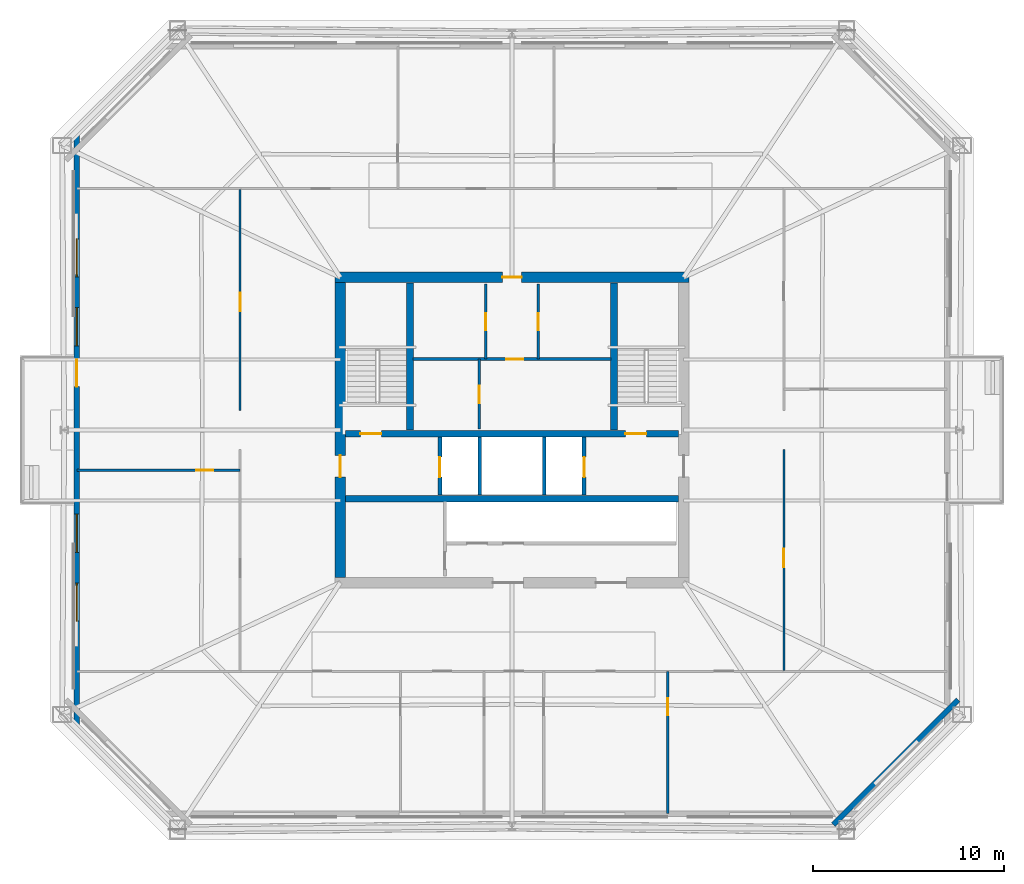
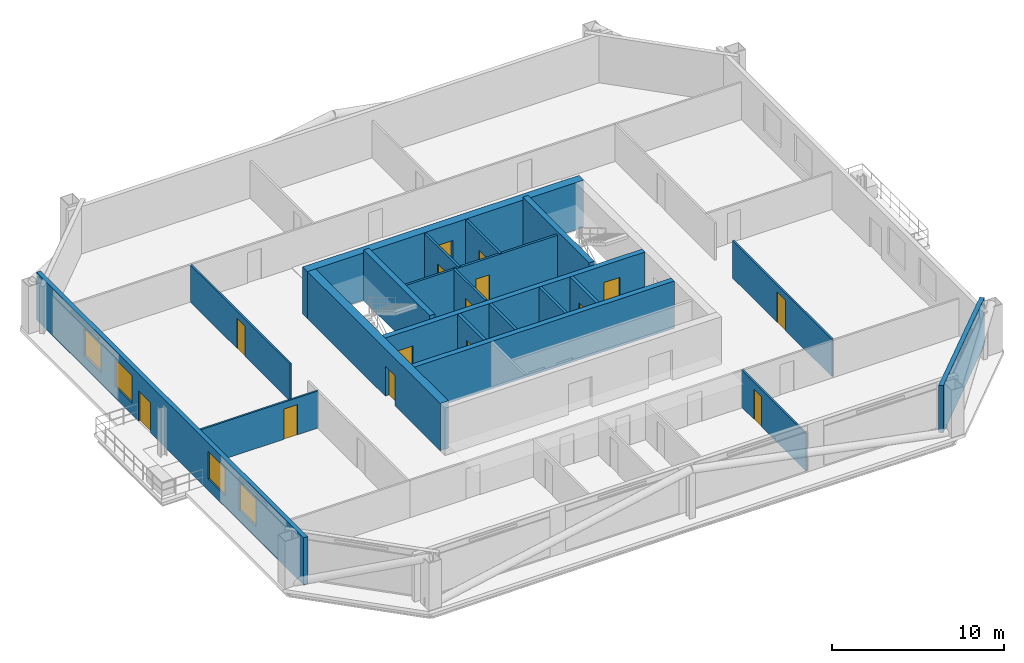
# One storey, part 3 of 8: 20 walls, 15 doors, 4 windows, 19 openings.
"""IFC4 building model written with IfcOpenShell, lengths in metres."""

from ifc_helpers import new_model, si_unit, direction, frame, frame_2d, origin, place, context, subcontext, project, spatial, rectangle, extrude, material, layer, layer_set, type_object, element, fill, save


model = new_model("IFC4")

# Units and contexts
model_context = context("Model", 3, precision=1e-05, world=origin(), true_north=direction((0.0, 1.0)))
body_context = subcontext(model_context, "Body", "Model", "MODEL_VIEW")
ifc_project = project(units=[si_unit("LENGTHUNIT", "METRE"), si_unit("AREAUNIT", "SQUARE_METRE"), si_unit("VOLUMEUNIT", "CUBIC_METRE"), si_unit("PLANEANGLEUNIT", "RADIAN"), si_unit("MASSUNIT", "GRAM", prefix="KILO")], contexts=[model_context])

# Site, building, storey
site_placement = place(None, origin())
site = spatial("IfcSite", under=ifc_project, at=site_placement, CompositionType="ELEMENT")
building_placement = place(site_placement, origin())
building = spatial("IfcBuilding", under=site, at=building_placement, Name="Caelvoria Tower", CompositionType="ELEMENT")
storey_placement = place(building_placement, frame((0.0, 0.0, 138.39990234375)))
storey = spatial("IfcBuildingStorey", under=building, at=storey_placement, Name="L36", CompositionType="ELEMENT", Elevation=138.39990234375)

# Wall, openings, doors
ifc_material_1 = material(Name="Concrete C50/60", Category="concrete")
ifc_layer_1 = layer(ifc_material_1, 0.35009765625, Name="Concrete C50/60")
ifc_layer_set_1 = layer_set([ifc_layer_1], Name="Core Internal Shear Wall 350 - Concrete C50/60")
wall_type_1 = type_object("IfcWallType", Name="Core Internal Shear Wall 350", PredefinedType="SHEAR", material=ifc_layer_set_1)
wall_1_placement = place(storey_placement, frame((37.27490234375, 31.800048828125, 0.0), z_axis=(0.0, 0.0, 1.0), x_axis=(1.0, 0.0, 0.0)))
wall_1 = element("IfcWall", 1, at=wall_1_placement, inside=storey, type_object=wall_type_1, Name="Core Shear Wall L36 M1", PredefinedType="SHEAR", context=body_context, shape_type="SweptSolid", body=[
    extrude(rectangle(XDim=17.4501953125, YDim=0.35009765625, at=frame_2d((8.72509765625, 0.0))), origin(), (0.0, 0.0, 1.0), 3.360107421875),
])
opening_1_placement = place(wall_1_placement, frame((0.77490234375, 0.0, 0.0)))
opening_1 = element("IfcOpeningElement", 2, at=opening_1_placement, cuts=wall_1, Name="Opening ID-01", PredefinedType="OPENING", context=body_context, shape_type="SweptSolid", body=[
    extrude(rectangle(XDim=1.10009765625, YDim=2.14990234375, at=frame_2d((0.550048828125, 1.074951171875))), frame((0.0, 0.18505859375, 0.0), z_axis=(0.0, -1.0, 0.0), x_axis=(1.0, 0.0, 0.0)), (0.0, 0.0, 1.0), 0.3701171875),
])
opening_2_placement = place(wall_1_placement, frame((14.675048828125, 0.0, 0.0)))
opening_2 = element("IfcOpeningElement", 3, at=opening_2_placement, cuts=wall_1, Name="Opening ID-01", PredefinedType="OPENING", context=body_context, shape_type="SweptSolid", body=[
    extrude(rectangle(XDim=1.10009765625, YDim=2.14990234375, at=frame_2d((0.550048828125, 1.074951171875))), frame((0.0, 0.18505859375, 0.0), z_axis=(0.0, -1.0, 0.0), x_axis=(1.0, 0.0, 0.0)), (0.0, 0.0, 1.0), 0.3701171875),
])
ifc_material_2 = material(Name="Painted Hollow Steel Fire Door", Category="steel")
door_type_1 = type_object("IfcDoorType", Name="Fire Door FD90S 1100x2150", OperationType="NOTDEFINED", PredefinedType="DOOR", material=ifc_material_2)
door_1_placement = place(opening_1_placement, origin())
door_1 = element("IfcDoor", 4, at=door_1_placement, inside=storey, type_object=door_type_1, Name="Core Door DR-L36-ST1", OperationType="SINGLE_SWING_LEFT", OverallHeight=2.14990234375, OverallWidth=1.10009765625, PredefinedType="DOOR", context=body_context, shape_type="SweptSolid", body=[
    extrude(rectangle(XDim=1.10009765625, YDim=2.14990234375, at=frame_2d((0.550048828125, 1.074951171875))), frame((0.0, 0.02490234375, 0.0), z_axis=(0.0, -1.0, 0.0), x_axis=(1.0, 0.0, 0.0)), (0.0, 0.0, 1.0), 0.050048828125),
])
fill(opening_1, door_1)
door_2_placement = place(opening_2_placement, origin())
door_2 = element("IfcDoor", 5, at=door_2_placement, inside=storey, type_object=door_type_1, Name="Core Door DR-L36-ST2", OperationType="SINGLE_SWING_RIGHT", OverallHeight=2.14990234375, OverallWidth=1.10009765625, PredefinedType="DOOR", context=body_context, shape_type="SweptSolid", body=[
    extrude(rectangle(XDim=1.10009765625, YDim=2.14990234375, at=frame_2d((0.550048828125, 1.074951171875))), frame((0.0, 0.02490234375, 0.0), z_axis=(0.0, -1.0, 0.0), x_axis=(1.0, 0.0, 0.0)), (0.0, 0.0, 1.0), 0.050048828125),
])
fill(opening_2, door_2)

# Walls
wall_2_placement = place(storey_placement, frame((37.27490234375, 28.39990234375, 0.0), z_axis=(0.0, 0.0, 1.0), x_axis=(1.0, 0.0, 0.0)))
element("IfcWall", 6, at=wall_2_placement, inside=storey, type_object=wall_type_1, Name="Core Shear Wall L36 M2", PredefinedType="SHEAR", context=body_context, shape_type="SweptSolid", body=[
    extrude(rectangle(XDim=17.4501953125, YDim=0.35009765625, at=frame_2d((8.72509765625, 0.0))), origin(), (0.0, 0.0, 1.0), 3.360107421875),
])
for number, where, z_axis, x_axis, name in (
    (7, (40.64990234375, 32.0, 0.0), (0.0, 0.0, 1.0), (0.0, 1.0, 0.0), "Interior Partition IW-L36-ST1E"),
    (8, (51.35009765625, 32.0, 0.0), (0.0, 0.0, 1.0), (0.0, 1.0, 0.0), "Interior Partition IW-L36-ST2W"),
):
    element("IfcWall", number, at=place(storey_placement, frame(where, z_axis=z_axis, x_axis=x_axis)), inside=storey, type_object=wall_type_1, Name=name, PredefinedType="SHEAR", context=body_context, shape_type="SweptSolid", body=[
        extrude(rectangle(XDim=7.699951171875, YDim=0.35009765625, at=frame_2d((3.85009765625, 0.0))), origin(), (0.0, 0.0, 1.0), 3.60009765625),
    ])

# Wall, opening, door
ifc_material_3 = material(Name="Double Gypsum Board on Steel Stud", Category="steel")
ifc_layer_2 = layer(ifc_material_3, 0.14990234375, Name="Double Gypsum Board on Steel Stud")
ifc_layer_set_2 = layer_set([ifc_layer_2], Name="Core Service Acoustic Partition Wall 150 - Double Gypsum Board on Steel Stud")
wall_type_2 = type_object("IfcWallType", Name="Core Service Acoustic Partition Wall 150", PredefinedType="PARTITIONING", material=ifc_layer_set_2)
wall_3_placement = place(storey_placement, frame((44.6201171875, 35.719970703125, 0.0), z_axis=(0.0, 0.0, 1.0), x_axis=(0.0, 1.0, 0.0)))
wall_3 = element("IfcWall", 9, at=wall_3_placement, inside=storey, type_object=wall_type_2, Name="Interior Partition IW-L36-C0L", PredefinedType="PARTITIONING", context=body_context, shape_type="SweptSolid", body=[
    extrude(rectangle(XDim=3.929931640625, YDim=0.14990234375, at=frame_2d((1.96484375, 0.0))), origin(), (0.0, 0.0, 1.0), 3.360107421875),
])
opening_3_placement = place(wall_3_placement, frame((1.5, 0.0, 0.0)))
opening_3 = element("IfcOpeningElement", 10, at=opening_3_placement, cuts=wall_3, Name="Opening ID-06", PredefinedType="OPENING", context=body_context, shape_type="SweptSolid", body=[
    extrude(rectangle(XDim=0.89990234375, YDim=2.14990234375, at=frame_2d((0.449951171875, 1.074951171875))), frame((0.0, 0.0849609375, 0.0), z_axis=(0.0, -1.0, 0.0), x_axis=(1.0, 0.0, 0.0)), (0.0, 0.0, 1.0), 0.169921875),
])
ifc_material_4 = material(Name="Engineered Andean Oak Veneer Door", Category="wood")
door_type_2 = type_object("IfcDoorType", Name="Interior Timber Door 900x2150", OperationType="NOTDEFINED", PredefinedType="DOOR", material=ifc_material_4)
door_3_placement = place(opening_3_placement, origin())
door_3 = element("IfcDoor", 11, at=door_3_placement, inside=storey, type_object=door_type_2, Name="Interior Door DR-L36-C01", OperationType="SINGLE_SWING_LEFT", OverallHeight=2.14990234375, OverallWidth=0.89990234375, PredefinedType="DOOR", context=body_context, shape_type="SweptSolid", body=[
    extrude(rectangle(XDim=0.89990234375, YDim=2.14990234375, at=frame_2d((0.449951171875, 1.074951171875))), frame((0.0, 0.02490234375, 0.0), z_axis=(0.0, -1.0, 0.0), x_axis=(1.0, 0.0, 0.0)), (0.0, 0.0, 1.0), 0.050048828125),
])
fill(opening_3, door_3)

wall_4_placement = place(storey_placement, frame((47.3798828125, 35.719970703125, 0.0), z_axis=(0.0, 0.0, 1.0), x_axis=(0.0, 1.0, 0.0)))
wall_4 = element("IfcWall", 12, at=wall_4_placement, inside=storey, type_object=wall_type_2, Name="Interior Partition IW-L36-C0R", PredefinedType="PARTITIONING", context=body_context, shape_type="SweptSolid", body=[
    extrude(rectangle(XDim=3.929931640625, YDim=0.14990234375, at=frame_2d((1.96484375, 0.0))), origin(), (0.0, 0.0, 1.0), 3.360107421875),
])
opening_4_placement = place(wall_4_placement, frame((1.5, 0.0, 0.0)))
opening_4 = element("IfcOpeningElement", 13, at=opening_4_placement, cuts=wall_4, Name="Opening ID-06", PredefinedType="OPENING", context=body_context, shape_type="SweptSolid", body=[
    extrude(rectangle(XDim=0.89990234375, YDim=2.14990234375, at=frame_2d((0.449951171875, 1.074951171875))), frame((0.0, 0.0849609375, 0.0), z_axis=(0.0, -1.0, 0.0), x_axis=(1.0, 0.0, 0.0)), (0.0, 0.0, 1.0), 0.169921875),
])
door_4_placement = place(opening_4_placement, origin())
door_4 = element("IfcDoor", 14, at=door_4_placement, inside=storey, type_object=door_type_2, Name="Interior Door DR-L36-C02", OperationType="SINGLE_SWING_RIGHT", OverallHeight=2.14990234375, OverallWidth=0.89990234375, PredefinedType="DOOR", context=body_context, shape_type="SweptSolid", body=[
    extrude(rectangle(XDim=0.89990234375, YDim=2.14990234375, at=frame_2d((0.449951171875, 1.074951171875))), frame((0.0, 0.02490234375, 0.0), z_axis=(0.0, -1.0, 0.0), x_axis=(1.0, 0.0, 0.0)), (0.0, 0.0, 1.0), 0.050048828125),
])
fill(opening_4, door_4)

wall_5_placement = place(storey_placement, frame((44.280029296875, 32.050048828125, 0.0), z_axis=(0.0, 0.0, 1.0), x_axis=(0.0, 1.0, 0.0)))
wall_5 = element("IfcWall", 15, at=wall_5_placement, inside=storey, type_object=wall_type_2, Name="Interior Partition IW-L36-C0M", PredefinedType="PARTITIONING", context=body_context, shape_type="SweptSolid", body=[
    extrude(rectangle(XDim=3.669921875, YDim=0.14990234375, at=frame_2d((1.8349609375, 0.0))), origin(), (0.0, 0.0, 1.0), 3.360107421875),
])
opening_5_placement = place(wall_5_placement, frame((1.35009765625, 0.0, 0.0)))
opening_5 = element("IfcOpeningElement", 16, at=opening_5_placement, cuts=wall_5, Name="Opening ID-07", PredefinedType="OPENING", context=body_context, shape_type="SweptSolid", body=[
    extrude(rectangle(XDim=0.919921875, YDim=2.14990234375, at=frame_2d((0.4599609375, 1.074951171875))), frame((0.0, 0.0849609375, 0.0), z_axis=(0.0, -1.0, 0.0), x_axis=(1.0, 0.0, 0.0)), (0.0, 0.0, 1.0), 0.169921875),
])
ifc_material_5 = material(Name="Engineered Andean Oak Accessible Door", Category="wood")
door_type_3 = type_object("IfcDoorType", Name="Accessible WC Door 950x2150", OperationType="NOTDEFINED", PredefinedType="DOOR", material=ifc_material_5)
door_5_placement = place(opening_5_placement, origin())
door_5 = element("IfcDoor", 17, at=door_5_placement, inside=storey, type_object=door_type_3, Name="Interior Door DR-L36-C05", OperationType="SINGLE_SWING_LEFT", OverallHeight=2.14990234375, OverallWidth=0.919921875, PredefinedType="DOOR", context=body_context, shape_type="SweptSolid", body=[
    extrude(rectangle(XDim=0.919921875, YDim=2.14990234375, at=frame_2d((0.4599609375, 1.074951171875))), frame((0.0, 0.02490234375, 0.0), z_axis=(0.0, -1.0, 0.0), x_axis=(1.0, 0.0, 0.0)), (0.0, 0.0, 1.0), 0.050048828125),
])
fill(opening_5, door_5)

wall_6_placement = place(storey_placement, frame((40.800048828125, 35.719970703125, 0.0), z_axis=(0.0, 0.0, 1.0), x_axis=(1.0, 0.0, 0.0)))
wall_6 = element("IfcWall", 18, at=wall_6_placement, inside=storey, type_object=wall_type_2, Name="Interior Partition IW-L36-C0H", PredefinedType="PARTITIONING", context=body_context, shape_type="SweptSolid", body=[
    extrude(rectangle(XDim=10.39990234375, YDim=0.14990234375, at=frame_2d((5.199951171875, 0.0))), origin(), (0.0, 0.0, 1.0), 3.360107421875),
])
opening_6_placement = place(wall_6_placement, frame((4.89990234375, 0.0, 0.0)))
opening_6 = element("IfcOpeningElement", 19, at=opening_6_placement, cuts=wall_6, Name="Opening ID-04", PredefinedType="OPENING", context=body_context, shape_type="SweptSolid", body=[
    extrude(rectangle(XDim=0.89990234375, YDim=2.14990234375, at=frame_2d((0.449951171875, 1.074951171875))), frame((0.0, 0.0849609375, 0.0), z_axis=(0.0, -1.0, 0.0), x_axis=(1.0, 0.0, 0.0)), (0.0, 0.0, 1.0), 0.169921875),
])
ifc_material_6 = material(Name="Acoustic Timber Fire Door", Category="wood")
door_type_4 = type_object("IfcDoorType", Name="Fire Door FD30S 900x2150", OperationType="NOTDEFINED", PredefinedType="DOOR", material=ifc_material_6)
door_6_placement = place(opening_6_placement, origin())
door_6 = element("IfcDoor", 20, at=door_6_placement, inside=storey, type_object=door_type_4, Name="Interior Door DR-L36-C04", OperationType="SINGLE_SWING_RIGHT", OverallHeight=2.14990234375, OverallWidth=0.89990234375, PredefinedType="DOOR", context=body_context, shape_type="SweptSolid", body=[
    extrude(rectangle(XDim=0.89990234375, YDim=2.14990234375, at=frame_2d((0.449951171875, 1.074951171875))), frame((0.0, 0.02490234375, 0.0), z_axis=(0.0, -1.0, 0.0), x_axis=(1.0, 0.0, 0.0)), (0.0, 0.0, 1.0), 0.050048828125),
])
fill(opening_6, door_6)

# Wall
ifc_material_7 = material(Name="Precast Concrete C40/50 with Bronze Cladding", Category="concrete")
ifc_layer_3 = layer(ifc_material_7, 0.280029296875, Name="Precast Concrete C40/50 with Bronze Cladding")
ifc_layer_set_3 = layer_set([ifc_layer_3], Name="Exterior Precast Concrete C40/50 Bronze-Clad Facade Wall 280 - Precast Concrete C40/50 with Bronze Cladding")
wall_type_3 = type_object("IfcWallType", Name="Exterior Precast Concrete C40/50 Bronze-Clad Facade Wall 280", PredefinedType="STANDARD", material=ifc_layer_set_3)
wall_7_placement = place(storey_placement, frame((62.8544921875, 11.30615234375, 0.0), z_axis=(0.0, 0.0, 1.0), x_axis=(0.707106781187, 0.707106781187, 0.0)))
element("IfcWall", 21, at=wall_7_placement, inside=storey, type_object=wall_type_3, Name="Exterior Facade Wall L36-E1", PredefinedType="STANDARD", context=body_context, shape_type="SweptSolid", body=[
    extrude(rectangle(XDim=9.248046875, YDim=0.280029296875, at=frame_2d((4.6240234375, 0.0))), origin(), (0.0, 0.0, 1.0), 3.360107421875),
])

# Wall, openings, windows, door
wall_8_placement = place(storey_placement, frame((23.179931640625, 47.5400390625, 0.0), z_axis=(0.0, 0.0, 1.0), x_axis=(0.0, -1.0, 0.0)))
wall_8 = element("IfcWall", 22, at=wall_8_placement, inside=storey, type_object=wall_type_3, Name="Exterior Facade Wall L36-E6", PredefinedType="STANDARD", context=body_context, shape_type="SweptSolid", body=[
    extrude(rectangle(XDim=31.080078125, YDim=0.280029296875, at=frame_2d((15.5400390625, 0.0))), origin(), (0.0, 0.0, 1.0), 3.360107421875),
])
opening_7_placement = place(wall_8_placement, frame((11.860107421875, 0.0, 0.0)))
opening_7 = element("IfcOpeningElement", 23, at=opening_7_placement, cuts=wall_8, Name="Opening ED-04", PredefinedType="OPENING", context=body_context, shape_type="SweptSolid", body=[
    extrude(rectangle(XDim=1.39990234375, YDim=2.14990234375, at=frame_2d((0.699951171875, 1.074951171875))), frame((0.0, 0.14990234375, 0.0), z_axis=(0.0, -1.0, 0.0), x_axis=(1.0, 0.0, 0.0)), (0.0, 0.0, 1.0), 0.300048828125),
])
opening_8_placement = place(wall_8_placement, frame((5.514892578125, 0.0, 0.800048828125)))
opening_8 = element("IfcOpeningElement", 24, at=opening_8_placement, cuts=wall_8, Name="Opening WN-01", PredefinedType="OPENING", context=body_context, shape_type="SweptSolid", body=[
    extrude(rectangle(XDim=2.0, YDim=1.949951171875, at=frame_2d((1.0, 0.97509765625))), frame((0.0, 0.14990234375, 0.0), z_axis=(0.0, -1.0, 0.0), x_axis=(1.0, 0.0, 0.0)), (0.0, 0.0, 1.0), 0.300048828125),
])
opening_9_placement = place(wall_8_placement, frame((9.125, 0.0, 0.800048828125)))
opening_9 = element("IfcOpeningElement", 25, at=opening_9_placement, cuts=wall_8, Name="Opening WN-01", PredefinedType="OPENING", context=body_context, shape_type="SweptSolid", body=[
    extrude(rectangle(XDim=2.0, YDim=1.949951171875, at=frame_2d((1.0, 0.97509765625))), frame((0.0, 0.14990234375, 0.0), z_axis=(0.0, -1.0, 0.0), x_axis=(1.0, 0.0, 0.0)), (0.0, 0.0, 1.0), 0.300048828125),
])
opening_10_placement = place(wall_8_placement, frame((19.955078125, 0.0, 0.800048828125)))
opening_10 = element("IfcOpeningElement", 26, at=opening_10_placement, cuts=wall_8, Name="Opening WN-01", PredefinedType="OPENING", context=body_context, shape_type="SweptSolid", body=[
    extrude(rectangle(XDim=2.0, YDim=1.949951171875, at=frame_2d((1.0, 0.97509765625))), frame((0.0, 0.14990234375, 0.0), z_axis=(0.0, -1.0, 0.0), x_axis=(1.0, 0.0, 0.0)), (0.0, 0.0, 1.0), 0.300048828125),
])
opening_11_placement = place(wall_8_placement, frame((23.56494140625, 0.0, 0.800048828125)))
opening_11 = element("IfcOpeningElement", 27, at=opening_11_placement, cuts=wall_8, Name="Opening WN-01", PredefinedType="OPENING", context=body_context, shape_type="SweptSolid", body=[
    extrude(rectangle(XDim=2.0, YDim=1.949951171875, at=frame_2d((1.0, 0.97509765625))), frame((0.0, 0.14990234375, 0.0), z_axis=(0.0, -1.0, 0.0), x_axis=(1.0, 0.0, 0.0)), (0.0, 0.0, 1.0), 0.300048828125),
])
ifc_material_8 = material(Name="Low-E Tinted Glass in Bronze Aluminium Frame", Category="aluminium")
window_type = type_object("IfcWindowType", Name="Tower Office Vision Window 2000x1950", PartitioningType="SINGLE_PANEL", PredefinedType="WINDOW", material=ifc_material_8)
window_1_placement = place(opening_8_placement, origin())
window_1 = element("IfcWindow", 28, at=window_1_placement, inside=storey, type_object=window_type, Name="Facade Window L36-E6-01", OverallHeight=1.949951171875, OverallWidth=2.0, PartitioningType="SINGLE_PANEL", PredefinedType="WINDOW", context=body_context, shape_type="SweptSolid", body=[
    extrude(rectangle(XDim=2.0, YDim=1.949951171875, at=frame_2d((1.0, 0.97509765625))), frame((0.0, 0.030029296875, 0.0), z_axis=(0.0, -1.0, 0.0), x_axis=(1.0, 0.0, 0.0)), (0.0, 0.0, 1.0), 0.06005859375),
])
fill(opening_8, window_1)
window_2_placement = place(opening_9_placement, origin())
window_2 = element("IfcWindow", 29, at=window_2_placement, inside=storey, type_object=window_type, Name="Facade Window L36-E6-02", OverallHeight=1.949951171875, OverallWidth=2.0, PartitioningType="SINGLE_PANEL", PredefinedType="WINDOW", context=body_context, shape_type="SweptSolid", body=[
    extrude(rectangle(XDim=2.0, YDim=1.949951171875, at=frame_2d((1.0, 0.97509765625))), frame((0.0, 0.030029296875, 0.0), z_axis=(0.0, -1.0, 0.0), x_axis=(1.0, 0.0, 0.0)), (0.0, 0.0, 1.0), 0.06005859375),
])
fill(opening_9, window_2)
window_3_placement = place(opening_10_placement, origin())
window_3 = element("IfcWindow", 30, at=window_3_placement, inside=storey, type_object=window_type, Name="Facade Window L36-E6-05", OverallHeight=1.949951171875, OverallWidth=2.0, PartitioningType="SINGLE_PANEL", PredefinedType="WINDOW", context=body_context, shape_type="SweptSolid", body=[
    extrude(rectangle(XDim=2.0, YDim=1.949951171875, at=frame_2d((1.0, 0.97509765625))), frame((0.0, 0.030029296875, 0.0), z_axis=(0.0, -1.0, 0.0), x_axis=(1.0, 0.0, 0.0)), (0.0, 0.0, 1.0), 0.06005859375),
])
fill(opening_10, window_3)
window_4_placement = place(opening_11_placement, origin())
window_4 = element("IfcWindow", 31, at=window_4_placement, inside=storey, type_object=window_type, Name="Facade Window L36-E6-06", OverallHeight=1.949951171875, OverallWidth=2.0, PartitioningType="SINGLE_PANEL", PredefinedType="WINDOW", context=body_context, shape_type="SweptSolid", body=[
    extrude(rectangle(XDim=2.0, YDim=1.949951171875, at=frame_2d((1.0, 0.97509765625))), frame((0.0, 0.030029296875, 0.0), z_axis=(0.0, -1.0, 0.0), x_axis=(1.0, 0.0, 0.0)), (0.0, 0.0, 1.0), 0.06005859375),
])
fill(opening_11, window_4)
ifc_material_9 = material(Name="Anodised Bronze Aluminium and Laminated Glass", Category="aluminium")
door_type_5 = type_object("IfcDoorType", Name="Tree Balcony Glazed Door 1400x2150", OperationType="NOTDEFINED", PredefinedType="DOOR", material=ifc_material_9)
door_7_placement = place(opening_7_placement, origin())
door_7 = element("IfcDoor", 32, at=door_7_placement, inside=storey, type_object=door_type_5, Name="Tree Balcony Door L36-W", OperationType="SINGLE_SWING_LEFT", OverallHeight=2.14990234375, OverallWidth=1.39990234375, PredefinedType="DOOR", context=body_context, shape_type="SweptSolid", body=[
    extrude(rectangle(XDim=1.39990234375, YDim=2.14990234375, at=frame_2d((0.699951171875, 1.074951171875))), frame((0.0, 0.02490234375, 0.0), z_axis=(0.0, -1.0, 0.0), x_axis=(1.0, 0.0, 0.0)), (0.0, 0.0, 1.0), 0.050048828125),
])
fill(opening_7, door_7)

# Walls
ifc_material_10 = material(Name="Concrete Block and Fireboard Assembly", Category="concrete")
ifc_layer_4 = layer(ifc_material_10, 0.179931640625, Name="Concrete Block and Fireboard Assembly")
ifc_layer_set_4 = layer_set([ifc_layer_4], Name="Fire-Rated Hoistway Partition Wall 180 - Concrete Block and Fireboard Assembly")
wall_type_4 = type_object("IfcWallType", Name="Fire-Rated Hoistway Partition Wall 180", PredefinedType="PARTITIONING", material=ifc_layer_set_4)
for number, where, z_axis, x_axis, name in (
    (33, (44.320068359375, 28.580078125, 0.0), (0.0, 0.0, 1.0), (0.0, 1.0, 0.0), "Interior Partition IW-L36-SV1W"),
    (34, (47.679931640625, 28.580078125, 0.0), (0.0, 0.0, 1.0), (0.0, 1.0, 0.0), "Interior Partition IW-L36-SV1E"),
):
    element("IfcWall", number, at=place(storey_placement, frame(where, z_axis=z_axis, x_axis=x_axis)), inside=storey, type_object=wall_type_4, Name=name, PredefinedType="PARTITIONING", context=body_context, shape_type="SweptSolid", body=[
        extrude(rectangle(XDim=3.0400390625, YDim=0.179931640625, at=frame_2d((1.52001953125, 0.0))), origin(), (0.0, 0.0, 1.0), 3.360107421875),
    ])

# Wall, opening, door
ifc_layer_5 = layer(ifc_material_10, 0.199951171875, Name="Concrete Block and Fireboard Assembly")
ifc_layer_set_5 = layer_set([ifc_layer_5], Name="Fire-Rated Shaft and Core Partition Wall 200 - Concrete Block and Fireboard Assembly")
wall_type_5 = type_object("IfcWallType", Name="Fire-Rated Shaft and Core Partition Wall 200", PredefinedType="PARTITIONING", material=ifc_layer_set_5)
wall_9_placement = place(storey_placement, frame((42.219970703125, 28.580078125, 0.0), z_axis=(0.0, 0.0, 1.0), x_axis=(0.0, 1.0, 0.0)))
wall_9 = element("IfcWall", 35, at=wall_9_placement, inside=storey, type_object=wall_type_5, Name="Interior Partition IW-L36-LF1W", PredefinedType="PARTITIONING", context=body_context, shape_type="SweptSolid", body=[
    extrude(rectangle(XDim=3.0400390625, YDim=0.199951171875, at=frame_2d((1.52001953125, 0.0))), origin(), (0.0, 0.0, 1.0), 3.360107421875),
])
opening_12_placement = place(wall_9_placement, frame((0.949951171875, 0.0, 0.0)))
opening_12 = element("IfcOpeningElement", 36, at=opening_12_placement, cuts=wall_9, Name="Opening LD-01", PredefinedType="OPENING", context=body_context, shape_type="SweptSolid", body=[
    extrude(rectangle(XDim=1.050048828125, YDim=2.14990234375, at=frame_2d((0.52490234375, 1.074951171875))), frame((0.0, 0.10986328125, 0.0), z_axis=(0.0, -1.0, 0.0), x_axis=(1.0, 0.0, 0.0)), (0.0, 0.0, 1.0), 0.219970703125),
])
ifc_material_11 = material(Name="Brushed Bronze Stainless Sliding Landing Door", Category="aluminium")
door_type_6 = type_object("IfcDoorType", Name="Lift Landing Sliding Door 1100x2150", OperationType="NOTDEFINED", PredefinedType="DOOR", material=ifc_material_11)
door_8_placement = place(opening_12_placement, origin())
door_8 = element("IfcDoor", 37, at=door_8_placement, inside=storey, type_object=door_type_6, Name="Interior Door LD-L36-LF1", OperationType="SLIDING_TO_LEFT", OverallHeight=2.14990234375, OverallWidth=1.050048828125, PredefinedType="DOOR", context=body_context, shape_type="SweptSolid", body=[
    extrude(rectangle(XDim=1.050048828125, YDim=2.14990234375, at=frame_2d((0.52490234375, 1.074951171875))), frame((0.0, 0.02490234375, 0.0), z_axis=(0.0, -1.0, 0.0), x_axis=(1.0, 0.0, 0.0)), (0.0, 0.0, 1.0), 0.050048828125),
])
fill(opening_12, door_8)

wall_10_placement = place(storey_placement, frame((49.780029296875, 28.580078125, 0.0), z_axis=(0.0, 0.0, 1.0), x_axis=(0.0, 1.0, 0.0)))
wall_10 = element("IfcWall", 38, at=wall_10_placement, inside=storey, type_object=wall_type_5, Name="Interior Partition IW-L36-LF2E", PredefinedType="PARTITIONING", context=body_context, shape_type="SweptSolid", body=[
    extrude(rectangle(XDim=3.0400390625, YDim=0.199951171875, at=frame_2d((1.52001953125, 0.0))), origin(), (0.0, 0.0, 1.0), 3.360107421875),
])
opening_13_placement = place(wall_10_placement, frame((0.949951171875, 0.0, 0.0)))
opening_13 = element("IfcOpeningElement", 39, at=opening_13_placement, cuts=wall_10, Name="Opening LD-01", PredefinedType="OPENING", context=body_context, shape_type="SweptSolid", body=[
    extrude(rectangle(XDim=1.050048828125, YDim=2.14990234375, at=frame_2d((0.52490234375, 1.074951171875))), frame((0.0, 0.10986328125, 0.0), z_axis=(0.0, -1.0, 0.0), x_axis=(1.0, 0.0, 0.0)), (0.0, 0.0, 1.0), 0.219970703125),
])
door_9_placement = place(opening_13_placement, origin())
door_9 = element("IfcDoor", 40, at=door_9_placement, inside=storey, type_object=door_type_6, Name="Interior Door LD-L36-LF2", OperationType="SLIDING_TO_RIGHT", OverallHeight=2.14990234375, OverallWidth=1.050048828125, PredefinedType="DOOR", context=body_context, shape_type="SweptSolid", body=[
    extrude(rectangle(XDim=1.050048828125, YDim=2.14990234375, at=frame_2d((0.52490234375, 1.074951171875))), frame((0.0, 0.02490234375, 0.0), z_axis=(0.0, -1.0, 0.0), x_axis=(1.0, 0.0, 0.0)), (0.0, 0.0, 1.0), 0.050048828125),
])
fill(opening_13, door_9)

ifc_material_12 = material(Name="Concrete C55/67", Category="concrete")
ifc_layer_6 = layer(ifc_material_12, 0.550048828125, Name="Concrete C55/67")
ifc_layer_set_6 = layer_set([ifc_layer_6], Name="Mid Core Shear Wall 550 - Concrete C55/67")
wall_type_6 = type_object("IfcWallType", Name="Mid Core Shear Wall 550", PredefinedType="SHEAR", material=ifc_layer_set_6)
wall_11_placement = place(storey_placement, frame((36.72509765625, 40.0, 0.0), z_axis=(0.0, 0.0, 1.0), x_axis=(1.0, 0.0, 0.0)))
wall_11 = element("IfcWall", 41, at=wall_11_placement, inside=storey, type_object=wall_type_6, Name="Core Shear Wall L36 N", PredefinedType="SHEAR", context=body_context, shape_type="SweptSolid", body=[
    extrude(rectangle(XDim=18.5498046875, YDim=0.550048828125, at=frame_2d((9.27490234375, 0.0))), origin(), (0.0, 0.0, 1.0), 3.360107421875),
])
opening_14_placement = place(wall_11_placement, frame((8.77490234375, 0.0, 0.0)))
opening_14 = element("IfcOpeningElement", 42, at=opening_14_placement, cuts=wall_11, Name="Opening ID-03", PredefinedType="OPENING", context=body_context, shape_type="SweptSolid", body=[
    extrude(rectangle(XDim=1.0, YDim=2.14990234375, at=frame_2d((0.5, 1.074951171875))), frame((0.0, 0.284912109375, 0.0), z_axis=(0.0, -1.0, 0.0), x_axis=(1.0, 0.0, 0.0)), (0.0, 0.0, 1.0), 0.570068359375),
])
door_type_7 = type_object("IfcDoorType", Name="Fire Door FD60S 1000x2150", OperationType="NOTDEFINED", PredefinedType="DOOR", material=ifc_material_2)
door_10_placement = place(opening_14_placement, origin())
door_10 = element("IfcDoor", 43, at=door_10_placement, inside=storey, type_object=door_type_7, Name="Core Door DR-L36-WC-MAIN", OperationType="SINGLE_SWING_RIGHT", OverallHeight=2.14990234375, OverallWidth=1.0, PredefinedType="DOOR", context=body_context, shape_type="SweptSolid", body=[
    extrude(rectangle(XDim=1.0, YDim=2.14990234375, at=frame_2d((0.5, 1.074951171875))), frame((0.0, 0.02490234375, 0.0), z_axis=(0.0, -1.0, 0.0), x_axis=(1.0, 0.0, 0.0)), (0.0, 0.0, 1.0), 0.050048828125),
])
fill(opening_14, door_10)

wall_12_placement = place(storey_placement, frame((37.0, 24.27490234375, 0.0), z_axis=(0.0, 0.0, 1.0), x_axis=(0.0, 1.0, 0.0)))
wall_12 = element("IfcWall", 44, at=wall_12_placement, inside=storey, type_object=wall_type_6, Name="Core Shear Wall L36 W", PredefinedType="SHEAR", context=body_context, shape_type="SweptSolid", body=[
    extrude(rectangle(XDim=15.4501953125, YDim=0.550048828125, at=frame_2d((7.72509765625, 0.0))), origin(), (0.0, 0.0, 1.0), 3.360107421875),
])
opening_15_placement = place(wall_12_placement, frame((5.25, 0.0, 0.0)))
opening_15 = element("IfcOpeningElement", 45, at=opening_15_placement, cuts=wall_12, Name="Opening ID-02", PredefinedType="OPENING", context=body_context, shape_type="SweptSolid", body=[
    extrude(rectangle(XDim=1.14990234375, YDim=2.14990234375, at=frame_2d((0.574951171875, 1.074951171875))), frame((0.0, 0.284912109375, 0.0), z_axis=(0.0, -1.0, 0.0), x_axis=(1.0, 0.0, 0.0)), (0.0, 0.0, 1.0), 0.570068359375),
])
door_type_8 = type_object("IfcDoorType", Name="Fire Door FD60S 1150x2150", OperationType="NOTDEFINED", PredefinedType="DOOR", material=ifc_material_2)
door_11_placement = place(opening_15_placement, origin())
door_11 = element("IfcDoor", 46, at=door_11_placement, inside=storey, type_object=door_type_8, Name="Core Door DR-L36-FFLW-OUT", OperationType="SINGLE_SWING_LEFT", OverallHeight=2.14990234375, OverallWidth=1.14990234375, PredefinedType="DOOR", context=body_context, shape_type="SweptSolid", body=[
    extrude(rectangle(XDim=1.14990234375, YDim=2.14990234375, at=frame_2d((0.574951171875, 1.074951171875))), frame((0.0, 0.02490234375, 0.0), z_axis=(0.0, -1.0, 0.0), x_axis=(1.0, 0.0, 0.0)), (0.0, 0.0, 1.0), 0.050048828125),
])
fill(opening_15, door_11)

ifc_material_13 = material(Name="Acoustic Gypsum Board on Light-Gauge Stud", Category="gypsum")
ifc_layer_7 = layer(ifc_material_13, 0.1201171875, Name="Acoustic Gypsum Board on Light-Gauge Stud")
ifc_layer_set_7 = layer_set([ifc_layer_7], Name="Tenant Suite Acoustic Partition Wall 120 - Acoustic Gypsum Board on Light-Gauge Stud")
wall_type_7 = type_object("IfcWallType", Name="Tenant Suite Acoustic Partition Wall 120", PredefinedType="PARTITIONING", material=ifc_layer_set_7)
wall_13_placement = place(storey_placement, frame((54.174560546875, 19.340087890625, 0.0), z_axis=(0.0, 0.0, 1.0), x_axis=(0.0, -1.0, 0.0)))
wall_13 = element("IfcWall", 47, at=wall_13_placement, inside=storey, type_object=wall_type_7, Name="Interior Partition IW-L36-SD-03-0", PredefinedType="PARTITIONING", context=body_context, shape_type="SweptSolid", body=[
    extrude(rectangle(XDim=7.460205078125, YDim=0.1201171875, at=frame_2d((3.72998046875, 0.0))), origin(), (0.0, 0.0, 1.0), 2.64013671875),
])
opening_16_placement = place(wall_13_placement, frame((1.39990234375, 0.0, 0.0)))
opening_16 = element("IfcOpeningElement", 48, at=opening_16_placement, cuts=wall_13, Name="Opening ID-06", PredefinedType="OPENING", context=body_context, shape_type="SweptSolid", body=[
    extrude(rectangle(XDim=0.89990234375, YDim=2.14990234375, at=frame_2d((0.449951171875, 1.074951171875))), frame((0.0, 0.070068359375, 0.0), z_axis=(0.0, -1.0, 0.0), x_axis=(1.0, 0.0, 0.0)), (0.0, 0.0, 1.0), 0.14013671875),
])
door_12_placement = place(opening_16_placement, origin())
door_12 = element("IfcDoor", 49, at=door_12_placement, inside=storey, type_object=door_type_2, Name="Interior Door DR-L36-SM-03-0", OperationType="SINGLE_SWING_LEFT", OverallHeight=2.14990234375, OverallWidth=0.89990234375, PredefinedType="DOOR", context=body_context, shape_type="SweptSolid", body=[
    extrude(rectangle(XDim=0.89990234375, YDim=2.14990234375, at=frame_2d((0.449951171875, 1.074951171875))), frame((0.0, 0.02490234375, 0.0), z_axis=(0.0, -1.0, 0.0), x_axis=(1.0, 0.0, 0.0)), (0.0, 0.0, 1.0), 0.050048828125),
])
fill(opening_16, door_12)

wall_14_placement = place(storey_placement, frame((31.739990234375, 29.88671875, 0.0), z_axis=(0.0, 0.0, 1.0), x_axis=(-1.0, 0.0, 0.0)))
wall_14 = element("IfcWall", 50, at=wall_14_placement, inside=storey, type_object=wall_type_7, Name="Interior Partition IW-L36-WD-00-0", PredefinedType="PARTITIONING", context=body_context, shape_type="SweptSolid", body=[
    extrude(rectangle(XDim=8.56005859375, YDim=0.1201171875, at=frame_2d((4.280029296875, 0.0))), origin(), (0.0, 0.0, 1.0), 2.64013671875),
])
opening_17_placement = place(wall_14_placement, frame((1.39990234375, 0.0, 0.0)))
opening_17 = element("IfcOpeningElement", 51, at=opening_17_placement, cuts=wall_14, Name="Opening ID-06", PredefinedType="OPENING", context=body_context, shape_type="SweptSolid", body=[
    extrude(rectangle(XDim=0.89990234375, YDim=2.14990234375, at=frame_2d((0.449951171875, 1.074951171875))), frame((0.0, 0.070068359375, 0.0), z_axis=(0.0, -1.0, 0.0), x_axis=(1.0, 0.0, 0.0)), (0.0, 0.0, 1.0), 0.14013671875),
])
door_13_placement = place(opening_17_placement, origin())
door_13 = element("IfcDoor", 52, at=door_13_placement, inside=storey, type_object=door_type_2, Name="Interior Door DR-L36-WM-00-0", OperationType="SINGLE_SWING_RIGHT", OverallHeight=2.14990234375, OverallWidth=0.89990234375, PredefinedType="DOOR", context=body_context, shape_type="SweptSolid", body=[
    extrude(rectangle(XDim=0.89990234375, YDim=2.14990234375, at=frame_2d((0.449951171875, 1.074951171875))), frame((0.0, 0.02490234375, 0.0), z_axis=(0.0, -1.0, 0.0), x_axis=(1.0, 0.0, 0.0)), (0.0, 0.0, 1.0), 0.050048828125),
])
fill(opening_17, door_13)

wall_15_placement = place(storey_placement, frame((31.739990234375, 33.02001953125, 0.0), z_axis=(0.0, 0.0, 1.0), x_axis=(0.0, 1.0, 0.0)))
wall_15 = element("IfcWall", 53, at=wall_15_placement, inside=storey, type_object=wall_type_7, Name="Interior Partition IW-L36-WCW-1", PredefinedType="PARTITIONING", context=body_context, shape_type="SweptSolid", body=[
    extrude(rectangle(XDim=11.580078125, YDim=0.1201171875, at=frame_2d((5.7900390625, 0.0))), origin(), (0.0, 0.0, 1.0), 2.64013671875),
])
opening_18_placement = place(wall_15_placement, frame((5.215087890625, 0.0, 0.0)))
opening_18 = element("IfcOpeningElement", 54, at=opening_18_placement, cuts=wall_15, Name="Opening ID-05", PredefinedType="OPENING", context=body_context, shape_type="SweptSolid", body=[
    extrude(rectangle(XDim=0.949951171875, YDim=2.14990234375, at=frame_2d((0.47509765625, 1.074951171875))), frame((0.0, 0.070068359375, 0.0), z_axis=(0.0, -1.0, 0.0), x_axis=(1.0, 0.0, 0.0)), (0.0, 0.0, 1.0), 0.14013671875),
])
door_type_9 = type_object("IfcDoorType", Name="Interior Timber Door 950x2150", OperationType="NOTDEFINED", PredefinedType="DOOR", material=ifc_material_4)
door_14_placement = place(opening_18_placement, origin())
door_14 = element("IfcDoor", 55, at=door_14_placement, inside=storey, type_object=door_type_9, Name="Interior Door DR-L36-WC-01-0", OperationType="SINGLE_SWING_RIGHT", OverallHeight=2.14990234375, OverallWidth=0.949951171875, PredefinedType="DOOR", context=body_context, shape_type="SweptSolid", body=[
    extrude(rectangle(XDim=0.949951171875, YDim=2.14990234375, at=frame_2d((0.47509765625, 1.074951171875))), frame((0.0, 0.02490234375, 0.0), z_axis=(0.0, -1.0, 0.0), x_axis=(1.0, 0.0, 0.0)), (0.0, 0.0, 1.0), 0.050048828125),
])
fill(opening_18, door_14)

wall_16_placement = place(storey_placement, frame((60.260009765625, 19.39990234375, 0.0), z_axis=(0.0, 0.0, 1.0), x_axis=(0.0, 1.0, 0.0)))
wall_16 = element("IfcWall", 56, at=wall_16_placement, inside=storey, type_object=wall_type_7, Name="Interior Partition IW-L36-ECW-0", PredefinedType="PARTITIONING", context=body_context, shape_type="SweptSolid", body=[
    extrude(rectangle(XDim=11.580078125, YDim=0.1201171875, at=frame_2d((5.7900390625, 0.0))), origin(), (0.0, 0.0, 1.0), 2.64013671875),
])
opening_19_placement = place(wall_16_placement, frame((5.4150390625, 0.0, 0.0)))
opening_19 = element("IfcOpeningElement", 57, at=opening_19_placement, cuts=wall_16, Name="Opening ID-05", PredefinedType="OPENING", context=body_context, shape_type="SweptSolid", body=[
    extrude(rectangle(XDim=0.949951171875, YDim=2.14990234375, at=frame_2d((0.47509765625, 1.074951171875))), frame((0.0, 0.070068359375, 0.0), z_axis=(0.0, -1.0, 0.0), x_axis=(1.0, 0.0, 0.0)), (0.0, 0.0, 1.0), 0.14013671875),
])
door_15_placement = place(opening_19_placement, origin())
door_15 = element("IfcDoor", 58, at=door_15_placement, inside=storey, type_object=door_type_9, Name="Interior Door DR-L36-EC-00-0", OperationType="SINGLE_SWING_LEFT", OverallHeight=2.14990234375, OverallWidth=0.949951171875, PredefinedType="DOOR", context=body_context, shape_type="SweptSolid", body=[
    extrude(rectangle(XDim=0.949951171875, YDim=2.14990234375, at=frame_2d((0.47509765625, 1.074951171875))), frame((0.0, 0.02490234375, 0.0), z_axis=(0.0, -1.0, 0.0), x_axis=(1.0, 0.0, 0.0)), (0.0, 0.0, 1.0), 0.050048828125),
])
fill(opening_19, door_15)

save(model, "model.ifc")
